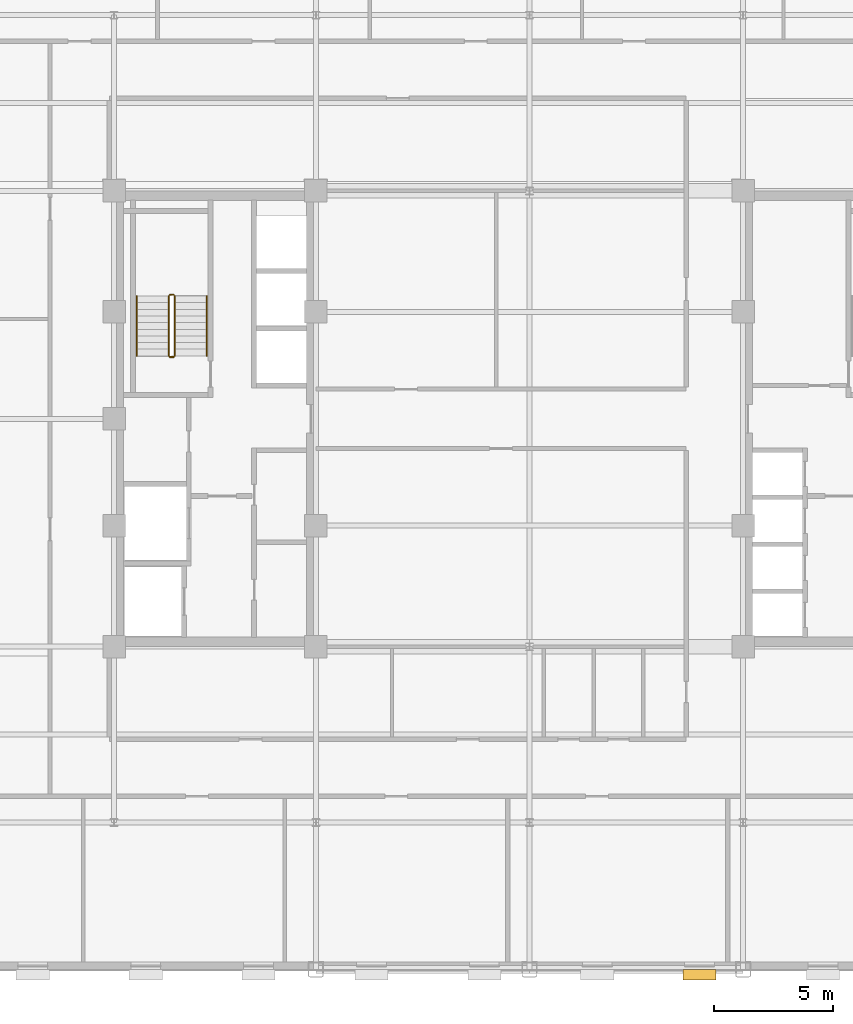
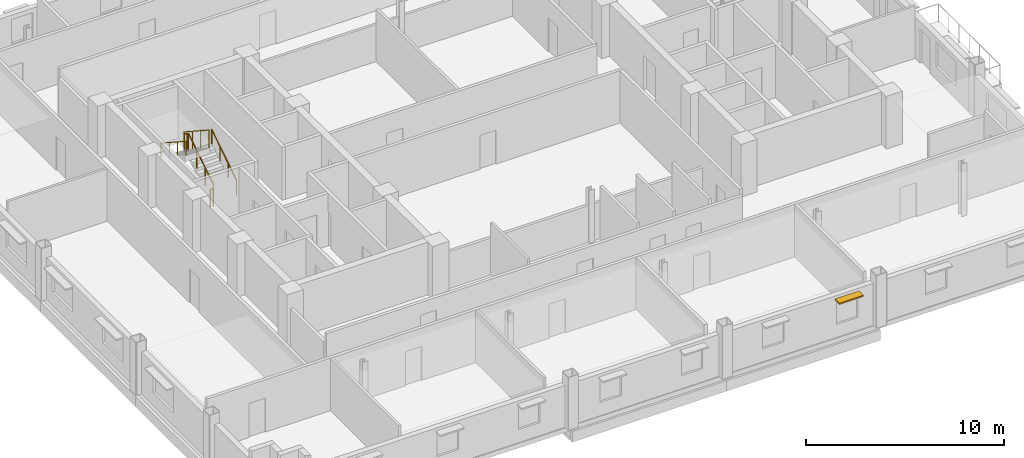
# One storey, part 12 of 14: 6 railings, 1 shading device.
"""IFC4 building model written with IfcOpenShell, lengths in metres."""

import ifcopenshell
import ifcopenshell.guid

model = None  # the IFC model being written
_history = None  # IfcOwnerHistory: only IFC2X3 demands one
_inside = {}  # id of a spatial element -> (the spatial element, [elements in it])
_under = {}  # id of a project, library or spatial element -> (it, [spatial elements below it])
_declared = {}  # id of a project -> (the project, [libraries it declares])
_typed = {}  # id of a type object -> (the type object, [elements of that type])
_made_of = {}  # id of a material, layer set ... -> (it, [elements and type objects made of it])


def new_model(schema):
    """Start an empty IFC model of exactly this schema.

    Asked for "IFC4X3", IfcOpenShell would pick the latest addendum, in which some entities
    have other attributes; the version numbers below select the first issue.
    IFC2X3 requires an IfcOwnerHistory on every rooted entity: one is made here for all.
    """
    global model, _history
    if schema == "IFC4X3":
        model = ifcopenshell.file(schema_version=(4, 3, 0, 0))
    else:
        model = ifcopenshell.file(schema=schema)
    _inside.clear()
    _under.clear()
    _declared.clear()
    _typed.clear()
    _made_of.clear()
    _history = None
    if model.schema == "IFC2X3":
        org = make("IfcOrganization", Name="unknown")
        user = make(
            "IfcPersonAndOrganization",
            ThePerson=make("IfcPerson", FamilyName="unknown"),
            TheOrganization=org,
        )
        app = make(
            "IfcApplication",
            ApplicationDeveloper=org,
            Version="unknown",
            ApplicationFullName="unknown",
            ApplicationIdentifier="unknown",
        )
        _history = make(
            "IfcOwnerHistory",
            OwningUser=user,
            OwningApplication=app,
            ChangeAction="ADDED",
            CreationDate=0,
        )
    return model


def make(cls, **values):
    """One entity of the class cls with the attributes given. An attribute that is None is left unset."""
    return model.create_entity(
        cls, **{name: value for name, value in values.items() if value is not None}
    )


def rooted(cls, **values):
    """An entity with a GlobalId (a new one), such as an element, a storey or a relation."""
    return make(cls, GlobalId=ifcopenshell.guid.new(), OwnerHistory=_history, **values)


def si_unit(unit_type, name, prefix=None):
    """IfcSIUnit, for example si_unit("LENGTHUNIT", "METRE", prefix="MILLI")."""
    return make("IfcSIUnit", UnitType=unit_type, Prefix=prefix, Name=name)


def assignment(units):
    """IfcUnitAssignment: the units of a project."""
    return None if units is None else make("IfcUnitAssignment", Units=units)


def point(xyz):
    """IfcCartesianPoint."""
    return None if xyz is None else make("IfcCartesianPoint", Coordinates=xyz)


def direction(xyz):
    """IfcDirection."""
    return None if xyz is None else make("IfcDirection", DirectionRatios=xyz)


def frame(location, z_axis=None, x_axis=None):
    """IfcAxis2Placement3D, a coordinate frame: its origin and axes. An axis left out is left unset."""
    return make(
        "IfcAxis2Placement3D",
        Location=point(location),
        Axis=direction(z_axis),
        RefDirection=direction(x_axis),
    )


def frame_2d(location, x_axis=None):
    """IfcAxis2Placement2D, a coordinate frame in the plane: its origin and x axis."""
    return make(
        "IfcAxis2Placement2D", Location=point(location), RefDirection=direction(x_axis)
    )


def origin():
    """The frame at (0, 0, 0) with its axes left unset."""
    return frame((0.0, 0.0, 0.0))


def origin_2d():
    """The frame at (0, 0) in the plane with its x axis left unset."""
    return frame_2d((0.0, 0.0))


def place(relative_to, where):
    """IfcLocalPlacement: puts the frame where relative to a parent placement (None: the world)."""
    return make(
        "IfcLocalPlacement", PlacementRelTo=relative_to, RelativePlacement=where
    )


def context(
    kind, dimensions, precision=None, world=None, true_north=None, identifier=None
):
    """IfcGeometricRepresentationContext, for example the 3D "Model" context."""
    return make(
        "IfcGeometricRepresentationContext",
        ContextIdentifier=identifier,
        ContextType=kind,
        CoordinateSpaceDimension=dimensions,
        Precision=precision,
        WorldCoordinateSystem=world,
        TrueNorth=true_north,
    )


def subcontext(parent, identifier, kind, view, scale=None):
    """IfcGeometricRepresentationSubContext, for example "Body" below "Model"."""
    return make(
        "IfcGeometricRepresentationSubContext",
        ContextIdentifier=identifier,
        ContextType=kind,
        ParentContext=parent,
        TargetScale=scale,
        TargetView=view,
    )


def project(units=None, contexts=None):
    """IfcProject with its units and contexts."""
    return rooted(
        "IfcProject",
        Name="project",
        RepresentationContexts=contexts,
        UnitsInContext=assignment(units),
    )


def spatial(cls, under=None, at=None, **own):
    """A site, building, storey or space (cls), placed at a placement, below another one or the project."""
    s = rooted(cls, ObjectPlacement=at, **own)
    if under is not None:
        _under.setdefault(under.id(), (under, []))[1].append(s)
    return s


def profile(cls, at=None, kind="AREA", **sizes):
    """A parametric profile (cls). Its sizes go by their IFC names, for example OverallWidth=200.0."""
    return make(cls, ProfileType=kind, Position=at, **sizes)


def rectangle(**sizes):
    """IfcRectangleProfileDef."""
    return profile("IfcRectangleProfileDef", **sizes)


def circle(**sizes):
    """IfcCircleProfileDef."""
    return profile("IfcCircleProfileDef", **sizes)


def extrude(swept, where, along, depth):
    """IfcExtrudedAreaSolid: the profile swept, set in the frame where, extruded along a direction by depth."""
    return make(
        "IfcExtrudedAreaSolid",
        SweptArea=swept,
        Position=where,
        ExtrudedDirection=direction(along),
        Depth=depth,
    )


def shape(context_of_items, identifier, shape_type, items):
    """IfcShapeRepresentation: the items that make up one representation, for example the "Body"."""
    return make(
        "IfcShapeRepresentation",
        ContextOfItems=context_of_items,
        RepresentationIdentifier=identifier,
        RepresentationType=shape_type,
        Items=items,
    )


def source(mapping_origin, context_of_items, identifier, shape_type, items):
    """IfcRepresentationMap: a shape defined once, which mapped items show again and again."""
    return make(
        "IfcRepresentationMap",
        MappingOrigin=mapping_origin,
        MappedRepresentation=shape(context_of_items, identifier, shape_type, items),
    )


def transform(
    local_origin,
    x_axis=None,
    y_axis=None,
    z_axis=None,
    scale=None,
    scale2=None,
    scale3=None,
    uniform=True,
):
    """IfcCartesianTransformationOperator3D, or its non-uniform kind. x_axis, y_axis, z_axis: its Axis1, 2, 3."""
    if uniform:
        return make(
            "IfcCartesianTransformationOperator3D",
            Axis1=direction(x_axis),
            Axis2=direction(y_axis),
            LocalOrigin=point(local_origin),
            Scale=scale,
            Axis3=direction(z_axis),
        )
    return make(
        "IfcCartesianTransformationOperator3DnonUniform",
        Axis1=direction(x_axis),
        Axis2=direction(y_axis),
        LocalOrigin=point(local_origin),
        Scale=scale,
        Axis3=direction(z_axis),
        Scale2=scale2,
        Scale3=scale3,
    )


def mapped(mapping_source, mapping_target):
    """IfcMappedItem: shows the shape of a source again, moved by a transform."""
    return make(
        "IfcMappedItem", MappingSource=mapping_source, MappingTarget=mapping_target
    )


def material(Name=None, Category=None):
    """IfcMaterial."""
    return make("IfcMaterial", Name=Name, Category=Category)


def made_of(thing, what):
    """Note that an element or type object is made of a material, layer set ...; save() writes the relation."""
    if what is not None:
        _made_of.setdefault(what.id(), (what, []))[1].append(thing)
    return thing


def type_object(cls, material=None, **own):
    """A type object (cls), such as IfcWallType, which elements share."""
    return made_of(rooted(cls, **own), material)


def type_shapes(of_type, sources):
    """Give a type object the sources (RepresentationMaps) that its elements show as mapped items."""
    of_type.RepresentationMaps = sources


def element(
    cls,
    number,
    at=None,
    inside=None,
    cuts=None,
    type_object=None,
    material=None,
    context=None,
    identifier="Body",
    shape_type=None,
    held_by="IfcProductDefinitionShape",
    body=None,
    shapes=None,
    **own,
):
    """One element of the class cls, such as IfcWall. Its Tag is "e" and its number.

    at: its placement. inside: the storey or other place that contains it. cuts: it is an
    opening in that element (IfcRelVoidsElement). A single representation is given by context,
    identifier, shape_type and body (its items); several are given by shapes. held_by: the class
    of the entity that holds the representations. save() writes the other relations.
    """
    e = rooted(cls, Tag="e%d" % number, ObjectPlacement=at, **own)
    if body is not None:
        shapes = [shape(context, identifier, shape_type, body)]
    if shapes is not None:
        e.Representation = make(held_by, Representations=shapes)
    if inside is not None:
        _inside.setdefault(inside.id(), (inside, []))[1].append(e)
    if cuts is not None:
        rooted(
            "IfcRelVoidsElement", RelatingBuildingElement=cuts, RelatedOpeningElement=e
        )
    if type_object is not None:
        _typed.setdefault(type_object.id(), (type_object, []))[1].append(e)
    return made_of(e, material)


def aggregate(whole, parts):
    """IfcRelAggregates: a whole, such as a stair, and the parts it consists of."""
    return rooted("IfcRelAggregates", RelatingObject=whole, RelatedObjects=parts)


def save(model, path):
    """Write the relations noted so far, then the file.

    IfcRelAggregates (storeys below a building ...), IfcRelContainedInSpatialStructure (elements
    in a storey), IfcRelDefinesByType, IfcRelAssociatesMaterial and IfcRelDeclares: one each for
    every whole, place, type object, material and project.
    """
    for whole, parts in _under.values():
        aggregate(whole, parts)
    for where, things in _inside.values():
        rooted(
            "IfcRelContainedInSpatialStructure",
            RelatedElements=things,
            RelatingStructure=where,
        )
    for kind, things in _typed.values():
        rooted("IfcRelDefinesByType", RelatedObjects=things, RelatingType=kind)
    for what, things in _made_of.values():
        rooted("IfcRelAssociatesMaterial", RelatedObjects=things, RelatingMaterial=what)
    for by, libraries in _declared.values():
        rooted("IfcRelDeclares", RelatingContext=by, RelatedDefinitions=libraries)
    model.write(path)


model = new_model("IFC4")

# Units and contexts
model_context = context("Model", 3, precision=1e-05, world=origin(), true_north=direction((0.0, 1.0)))
body_context = subcontext(model_context, "Body", "Model", "MODEL_VIEW")
ifc_project = project(units=[si_unit("LENGTHUNIT", "METRE"), si_unit("AREAUNIT", "SQUARE_METRE"), si_unit("VOLUMEUNIT", "CUBIC_METRE"), si_unit("PLANEANGLEUNIT", "RADIAN"), si_unit("MASSUNIT", "GRAM", prefix="KILO")], contexts=[model_context])

# Site, building, storey
site_placement = place(None, origin())
site = spatial("IfcSite", under=ifc_project, at=site_placement, CompositionType="ELEMENT")
building_placement = place(site_placement, origin())
building = spatial("IfcBuilding", under=site, at=building_placement, Name="Nuvemarco Arch Tower", CompositionType="ELEMENT")
storey_placement = place(building_placement, frame((0.0, 0.0, 182.25)))
storey = spatial("IfcBuildingStorey", under=building, at=storey_placement, Name="L48", CompositionType="ELEMENT", Elevation=182.25)

# Railings
ifc_material_1 = material(Name="Brushed stainless steel handrail", Category="steel")
railing_type_1 = type_object("IfcRailingType", Name="RL-HANDRAIL-900", PredefinedType="HANDRAIL", material=ifc_material_1)
railing_1_placement = place(storey_placement, frame((-13.590087890625, 2.64990234375, 0.1826171875)))
element("IfcRailing", 1, at=railing_1_placement, inside=storey, type_object=railing_type_1, Name="L48 ST-1 stair handrail 1", PredefinedType="HANDRAIL", context=body_context, shape_type="SweptSolid", body=[
    extrude(circle(Radius=0.02392578125, at=origin_2d()), frame((0.0, 0.0, 0.8759765625), z_axis=(0.0, 0.837786554691, 0.545997883492), x_axis=(-1.0, 0.0, 0.0)), (0.0, 0.0, 1.0), 3.008056640625),
    extrude(circle(Radius=0.02099609375, at=origin_2d()), origin(), (0.0, 0.0, 1.0), 0.851806640625),
    extrude(circle(Radius=0.02099609375, at=origin_2d()), frame((0.0, 0.840087890625, 0.54736328125)), (0.0, 0.0, 1.0), 0.851806640625),
    extrude(circle(Radius=0.02099609375, at=origin_2d()), frame((0.0, 1.679931640625, 1.094970703125)), (0.0, 0.0, 1.0), 0.851806640625),
    extrude(circle(Radius=0.02099609375, at=origin_2d()), frame((0.0, 2.52001953125, 1.642333984375)), (0.0, 0.0, 1.0), 0.851806640625),
])
railing_2_placement = place(storey_placement, frame((-16.550048828125, 5.169921875, 2.007568359375)))
element("IfcRailing", 2, at=railing_2_placement, inside=storey, type_object=railing_type_1, Name="L48 ST-1 stair handrail 2", PredefinedType="HANDRAIL", context=body_context, shape_type="SweptSolid", body=[
    extrude(circle(Radius=0.02392578125, at=origin_2d()), frame((0.0, 0.0, 0.8759765625), z_axis=(0.0, -0.837786554691, 0.545997883492), x_axis=(1.0, 0.0, 0.0)), (0.0, 0.0, 1.0), 3.008056640625),
    extrude(circle(Radius=0.02099609375, at=origin_2d()), origin(), (0.0, 0.0, 1.0), 0.851806640625),
    extrude(circle(Radius=0.02099609375, at=origin_2d()), frame((0.0, -0.840087890625, 0.54736328125)), (0.0, 0.0, 1.0), 0.851806640625),
    extrude(circle(Radius=0.02099609375, at=origin_2d()), frame((0.0, -1.679931640625, 1.094970703125)), (0.0, 0.0, 1.0), 0.851806640625),
    extrude(circle(Radius=0.02099609375, at=origin_2d()), frame((0.0, -2.52001953125, 1.642333984375)), (0.0, 0.0, 1.0), 0.851806640625),
])
ifc_material_2 = material(Name="Painted balustrade steel S355", Category="steel")
railing_type_2 = type_object("IfcRailingType", Name="RL-STAIR-GUARD", PredefinedType="GUARDRAIL", material=ifc_material_2)
railing_3_placement = place(storey_placement, frame((-14.93994140625, 2.64990234375, 0.1826171875)))
element("IfcRailing", 3, at=railing_3_placement, inside=storey, type_object=railing_type_2, Name="L48 ST-1 stair guard 1", PredefinedType="GUARDRAIL", context=body_context, shape_type="SweptSolid", body=[
    extrude(circle(Radius=0.02392578125, at=origin_2d()), frame((0.0, 0.0, 1.09619140625), z_axis=(0.0, 0.837786554691, 0.545997883492), x_axis=(-1.0, 0.0, 0.0)), (0.0, 0.0, 1.0), 3.008056640625),
    extrude(circle(Radius=0.02099609375, at=origin_2d()), origin(), (0.0, 0.0, 1.0), 1.072021484375),
    extrude(circle(Radius=0.02099609375, at=origin_2d()), frame((0.0, 0.840087890625, 0.54736328125)), (0.0, 0.0, 1.0), 1.072021484375),
    extrude(circle(Radius=0.02099609375, at=origin_2d()), frame((0.0, 1.679931640625, 1.094970703125)), (0.0, 0.0, 1.0), 1.072021484375),
    extrude(circle(Radius=0.02099609375, at=origin_2d()), frame((0.0, 2.52001953125, 1.642333984375)), (0.0, 0.0, 1.0), 1.072021484375),
])
railing_4_placement = place(storey_placement, frame((-14.989990234375, 5.219970703125, 1.824951171875)))
element("IfcRailing", 4, at=railing_4_placement, inside=storey, type_object=railing_type_2, Name="L48 ST-1 stair guard 2", PredefinedType="GUARDRAIL", context=body_context, shape_type="SweptSolid", body=[
    extrude(circle(Radius=0.02392578125, at=origin_2d()), frame((0.0, 0.0, 1.09619140625), z_axis=(-1.0, 0.0, 0.0), x_axis=(0.0, -1.0, 0.0)), (0.0, 0.0, 1.0), 0.159912109375),
    extrude(circle(Radius=0.02099609375, at=origin_2d()), origin(), (0.0, 0.0, 1.0), 1.072021484375),
    extrude(circle(Radius=0.02099609375, at=origin_2d()), frame((-0.159912109375, 0.0, 0.0)), (0.0, 0.0, 1.0), 1.072021484375),
])
railing_5_placement = place(storey_placement, frame((-15.199951171875, 5.169921875, 2.007568359375)))
element("IfcRailing", 5, at=railing_5_placement, inside=storey, type_object=railing_type_2, Name="L48 ST-1 stair guard 3", PredefinedType="GUARDRAIL", context=body_context, shape_type="SweptSolid", body=[
    extrude(circle(Radius=0.02392578125, at=origin_2d()), frame((0.0, 0.0, 1.09619140625), z_axis=(0.0, -0.837786554691, 0.545997883492), x_axis=(1.0, 0.0, 0.0)), (0.0, 0.0, 1.0), 3.008056640625),
    extrude(circle(Radius=0.02099609375, at=origin_2d()), origin(), (0.0, 0.0, 1.0), 1.072021484375),
    extrude(circle(Radius=0.02099609375, at=origin_2d()), frame((0.0, -0.840087890625, 0.54736328125)), (0.0, 0.0, 1.0), 1.072021484375),
    extrude(circle(Radius=0.02099609375, at=origin_2d()), frame((0.0, -1.679931640625, 1.094970703125)), (0.0, 0.0, 1.0), 1.072021484375),
    extrude(circle(Radius=0.02099609375, at=origin_2d()), frame((0.0, -2.52001953125, 1.642333984375)), (0.0, 0.0, 1.0), 1.072021484375),
])
railing_6_placement = place(storey_placement, frame((-14.989990234375, 2.60009765625, 0.0)))
element("IfcRailing", 6, at=railing_6_placement, inside=storey, type_object=railing_type_2, Name="L48 ST-1 stair guard 4", PredefinedType="GUARDRAIL", context=body_context, shape_type="SweptSolid", body=[
    extrude(circle(Radius=0.02392578125, at=origin_2d()), frame((0.0, 0.0, 1.09619140625), z_axis=(-1.0, 0.0, 0.0), x_axis=(0.0, -1.0, 0.0)), (0.0, 0.0, 1.0), 0.159912109375),
    extrude(circle(Radius=0.02099609375, at=origin_2d()), origin(), (0.0, 0.0, 1.0), 1.072021484375),
    extrude(circle(Radius=0.02099609375, at=origin_2d()), frame((-0.159912109375, 0.0, 0.0)), (0.0, 0.0, 1.0), 1.072021484375),
])

# Shading device
ifc_material_3 = material(Name="Anodised aluminium 6063-T6", Category="aluminium")
shading_device_type = type_object("IfcShadingDeviceType", Name="SHD-BRISE-NARROW", PredefinedType="USERDEFINED", material=ifc_material_3)
shared_shape = source(origin(), body_context, "Body", "SweptSolid", [
    extrude(rectangle(XDim=1.39990234375, YDim=0.449951171875, at=origin_2d()), origin(), (0.0, 0.0, 1.0), 0.080078125),
])
type_shapes(shading_device_type, [shared_shape])
shading_device_placement = place(storey_placement, frame((7.1611328125, -23.4150390625, 2.324951171875), z_axis=(0.0, 0.0, 1.0), x_axis=(1.0, 0.0, 0.0)))
element("IfcShadingDevice", 7, at=shading_device_placement, inside=storey, type_object=shading_device_type, Name="L48 horizontal brise-soleil sunshade", ObjectType="SUNSHADE", PredefinedType="USERDEFINED", context=body_context, shape_type="MappedRepresentation", body=[
    mapped(shared_shape, transform((0.0, 0.0, 0.0), scale=1.0)),
])

save(model, "model.ifc")
